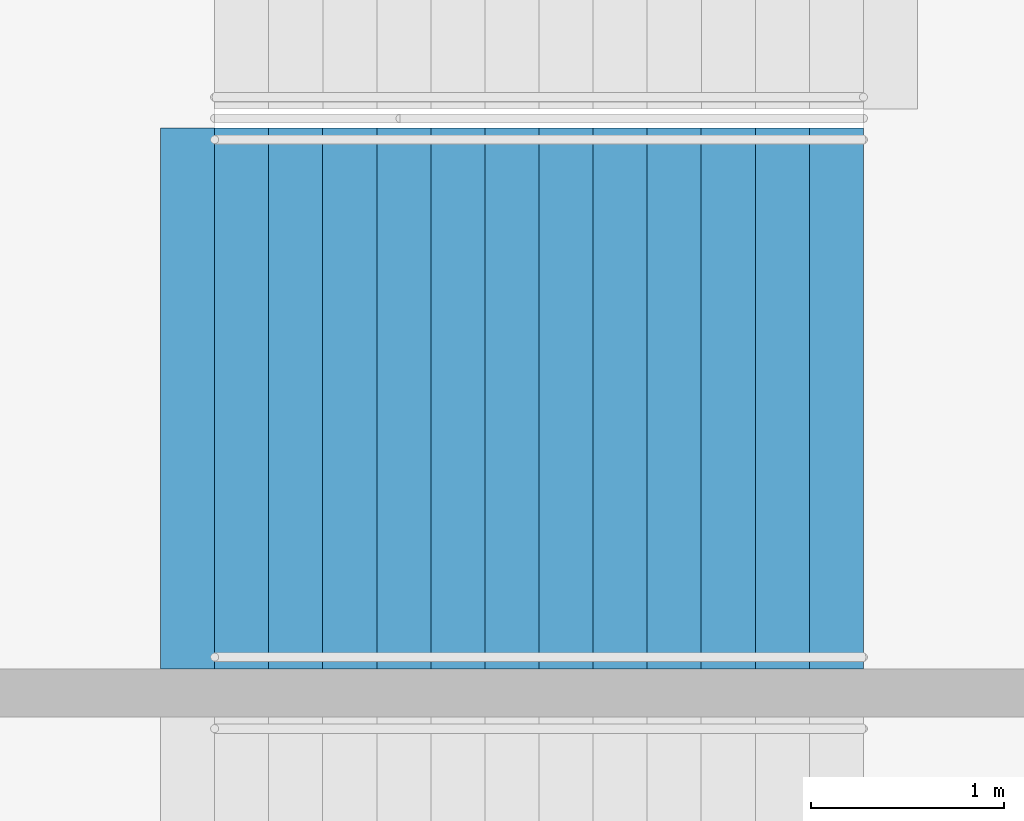
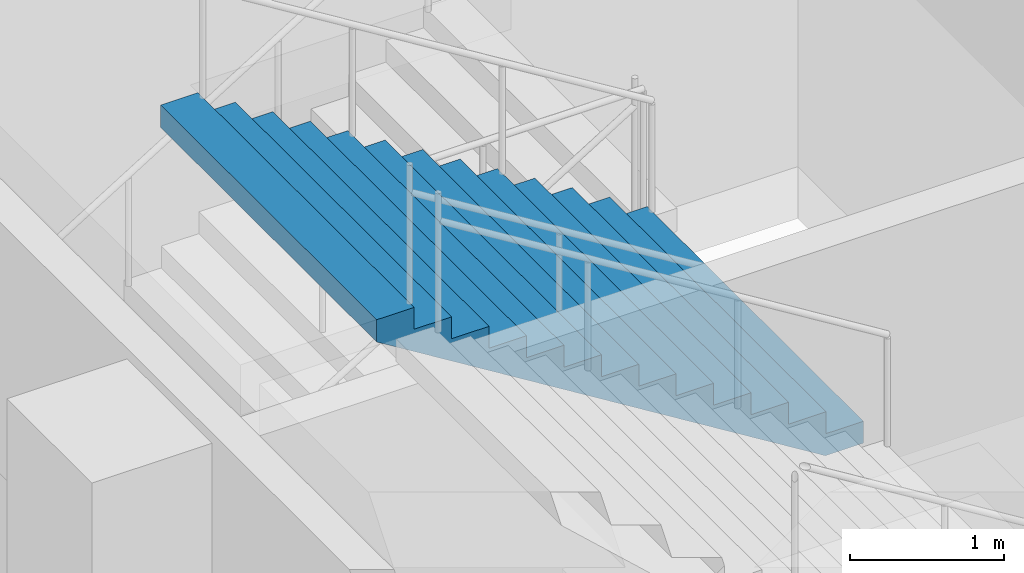
# One storey, part 143 of 175: 1 stair flight, 1 element without a shape of its own.
"""IFC4 building model written with IfcOpenShell, lengths in metres."""

from ifc_helpers import new_model, si_unit, direction, frame, origin, place, context, subcontext, project, spatial, faceted_brep, material, type_object, element, aggregate, save


model = new_model("IFC4")

# Units and contexts
model_context = context("Model", 3, precision=1e-05, world=origin(), true_north=direction((0.0, 1.0)))
body_context = subcontext(model_context, "Body", "Model", "MODEL_VIEW")
ifc_project = project(units=[si_unit("LENGTHUNIT", "METRE"), si_unit("AREAUNIT", "SQUARE_METRE"), si_unit("VOLUMEUNIT", "CUBIC_METRE"), si_unit("PLANEANGLEUNIT", "RADIAN"), si_unit("MASSUNIT", "GRAM", prefix="KILO")], contexts=[model_context])

# Site, building, storey
site_placement = place(None, origin())
site = spatial("IfcSite", under=ifc_project, at=site_placement, CompositionType="ELEMENT")
building_placement = place(site_placement, origin())
building = spatial("IfcBuilding", under=site, at=building_placement, Name="Ogive Plaza Stadium", CompositionType="ELEMENT")
storey_placement = place(building_placement, origin())
storey = spatial("IfcBuildingStorey", under=building, at=storey_placement, Name="L00", CompositionType="ELEMENT", Elevation=0.0)

# Stair, stair flight
ifc_material_1 = material(Name="Concrete C40/50", Category="concrete")
stair_type = type_object("IfcStairType", Name="Exit stair", PredefinedType="STRAIGHT_RUN_STAIR", material=ifc_material_1)
stair_placement = place(storey_placement, origin())
stair = element("IfcStair", 1, at=stair_placement, inside=storey, type_object=stair_type, Name="Exit stair ST02B L00 to L01", PredefinedType="STRAIGHT_RUN_STAIR")
ifc_material_2 = material(Name="Concrete C40/50", Category="concrete")
stair_flight_type = type_object("IfcStairFlightType", Name="Exit stair flight", PredefinedType="STRAIGHT", material=ifc_material_2)
stair_flight_placement = place(storey_placement, frame((79.7099609375, 39.02490234375, 2.25), z_axis=(0.0, 0.0, 1.0), x_axis=(-1.0, 0.0, 0.0)))
stair_flight = element("IfcStairFlight", 2, at=stair_flight_placement, type_object=stair_flight_type, Name="ST02B flight 2", NumberOfRisers=13, NumberOfTreads=12, PredefinedType="STRAIGHT", RiserHeight=0.173076923, TreadLength=0.28, context=body_context, shape_type="Brep", body=[
    faceted_brep([(0.28515625, -1.39990234375, 0.0), (3.639892578125, -1.39990234375, 2.07373046875), (3.639892578125, -1.39990234375, 2.25), (3.360107421875, -1.39990234375, 2.25), (3.360107421875, -1.39990234375, 2.076904296875), (3.080078125, -1.39990234375, 2.076904296875), (3.080078125, -1.39990234375, 1.90380859375), (2.800048828125, -1.39990234375, 1.90380859375), (2.800048828125, -1.39990234375, 1.730712890625), (2.52001953125, -1.39990234375, 1.730712890625), (2.52001953125, -1.39990234375, 1.5576171875), (2.239990234375, -1.39990234375, 1.5576171875), (2.239990234375, -1.39990234375, 1.384521484375), (1.9599609375, -1.39990234375, 1.384521484375), (1.9599609375, -1.39990234375, 1.21142578125), (1.679931640625, -1.39990234375, 1.21142578125), (1.679931640625, -1.39990234375, 1.03857421875), (1.39990234375, -1.39990234375, 1.03857421875), (1.39990234375, -1.39990234375, 0.865478515625), (1.1201171875, -1.39990234375, 0.865478515625), (1.1201171875, -1.39990234375, 0.6923828125), (0.840087890625, -1.39990234375, 0.6923828125), (0.840087890625, -1.39990234375, 0.519287109375), (0.56005859375, -1.39990234375, 0.519287109375), (0.56005859375, -1.39990234375, 0.34619140625), (0.280029296875, -1.39990234375, 0.34619140625), (0.280029296875, -1.39990234375, 0.173095703125), (0.0, -1.39990234375, 0.173095703125), (0.0, -1.39990234375, 0.0), (0.0, 1.39990234375, 0.0), (0.0, 1.39990234375, 0.173095703125), (0.280029296875, 1.39990234375, 0.173095703125), (0.280029296875, 1.39990234375, 0.34619140625), (0.56005859375, 1.39990234375, 0.34619140625), (0.56005859375, 1.39990234375, 0.519287109375), (0.840087890625, 1.39990234375, 0.519287109375), (0.840087890625, 1.39990234375, 0.6923828125), (1.1201171875, 1.39990234375, 0.6923828125), (1.1201171875, 1.39990234375, 0.865478515625), (1.39990234375, 1.39990234375, 0.865478515625), (1.39990234375, 1.39990234375, 1.03857421875), (1.679931640625, 1.39990234375, 1.03857421875), (1.679931640625, 1.39990234375, 1.21142578125), (1.9599609375, 1.39990234375, 1.21142578125), (1.9599609375, 1.39990234375, 1.384521484375), (2.239990234375, 1.39990234375, 1.384521484375), (2.239990234375, 1.39990234375, 1.5576171875), (2.52001953125, 1.39990234375, 1.5576171875), (2.52001953125, 1.39990234375, 1.730712890625), (2.800048828125, 1.39990234375, 1.730712890625), (2.800048828125, 1.39990234375, 1.90380859375), (3.080078125, 1.39990234375, 1.90380859375), (3.080078125, 1.39990234375, 2.076904296875), (3.360107421875, 1.39990234375, 2.076904296875), (3.360107421875, 1.39990234375, 2.25), (3.639892578125, 1.39990234375, 2.25), (3.639892578125, 1.39990234375, 2.07373046875), (0.28515625, 1.39990234375, 0.0), (0.28515625, -1.0888671875, 0.0), (3.639892578125, -1.0888671875, 2.07373046875), (0.28515625, -0.77783203125, 0.0), (3.639892578125, -0.77783203125, 2.07373046875), (0.28515625, -0.466796875, 0.0), (3.639892578125, -0.466796875, 2.07373046875), (0.28515625, -0.155517578125, 0.0), (3.639892578125, -0.155517578125, 2.07373046875), (0.28515625, 0.155517578125, 0.0), (3.639892578125, 0.155517578125, 2.07373046875), (0.28515625, 0.466796875, 0.0), (3.639892578125, 0.466796875, 2.07373046875), (0.28515625, 0.77783203125, 0.0), (3.639892578125, 0.77783203125, 2.07373046875), (0.28515625, 1.0888671875, 0.0), (3.639892578125, 1.0888671875, 2.07373046875), (3.639892578125, -1.0888671875, 2.25), (3.639892578125, -0.77783203125, 2.25), (3.639892578125, -0.466796875, 2.25), (3.639892578125, -0.155517578125, 2.25), (3.639892578125, 0.155517578125, 2.25), (3.639892578125, 0.466796875, 2.25), (3.639892578125, 0.77783203125, 2.25), (3.639892578125, 1.0888671875, 2.25), (3.360107421875, -1.0888671875, 2.25), (3.360107421875, -0.77783203125, 2.25), (3.360107421875, -0.466796875, 2.25), (3.360107421875, -0.155517578125, 2.25), (3.360107421875, 0.155517578125, 2.25), (3.360107421875, 0.466796875, 2.25), (3.360107421875, 0.77783203125, 2.25), (3.360107421875, 1.0888671875, 2.25), (3.360107421875, -1.0888671875, 2.076904296875), (3.360107421875, -0.77783203125, 2.076904296875), (3.360107421875, -0.466796875, 2.076904296875), (3.360107421875, -0.155517578125, 2.076904296875), (3.360107421875, 0.155517578125, 2.076904296875), (3.360107421875, 0.466796875, 2.076904296875), (3.360107421875, 0.77783203125, 2.076904296875), (3.360107421875, 1.0888671875, 2.076904296875), (3.080078125, -1.0888671875, 2.076904296875), (3.080078125, -0.77783203125, 2.076904296875), (3.080078125, -0.466796875, 2.076904296875), (3.080078125, -0.155517578125, 2.076904296875), (3.080078125, 0.155517578125, 2.076904296875), (3.080078125, 0.466796875, 2.076904296875), (3.080078125, 0.77783203125, 2.076904296875), (3.080078125, 1.0888671875, 2.076904296875), (3.080078125, -1.0888671875, 1.90380859375), (3.080078125, -0.77783203125, 1.90380859375), (3.080078125, -0.466796875, 1.90380859375), (3.080078125, -0.155517578125, 1.90380859375), (3.080078125, 0.155517578125, 1.90380859375), (3.080078125, 0.466796875, 1.90380859375), (3.080078125, 0.77783203125, 1.90380859375), (3.080078125, 1.0888671875, 1.90380859375), (2.800048828125, -1.0888671875, 1.90380859375), (2.800048828125, -0.77783203125, 1.90380859375), (2.800048828125, -0.466796875, 1.90380859375), (2.800048828125, -0.155517578125, 1.90380859375), (2.800048828125, 0.155517578125, 1.90380859375), (2.800048828125, 0.466796875, 1.90380859375), (2.800048828125, 0.77783203125, 1.90380859375), (2.800048828125, 1.0888671875, 1.90380859375), (2.800048828125, -1.0888671875, 1.730712890625), (2.800048828125, -0.77783203125, 1.730712890625), (2.800048828125, -0.466796875, 1.730712890625), (2.800048828125, -0.155517578125, 1.730712890625), (2.800048828125, 0.155517578125, 1.730712890625), (2.800048828125, 0.466796875, 1.730712890625), (2.800048828125, 0.77783203125, 1.730712890625), (2.800048828125, 1.0888671875, 1.730712890625), (2.52001953125, -1.0888671875, 1.730712890625), (2.52001953125, -0.77783203125, 1.730712890625), (2.52001953125, -0.466796875, 1.730712890625), (2.52001953125, -0.155517578125, 1.730712890625), (2.52001953125, 0.155517578125, 1.730712890625), (2.52001953125, 0.466796875, 1.730712890625), (2.52001953125, 0.77783203125, 1.730712890625), (2.52001953125, 1.0888671875, 1.730712890625), (2.52001953125, -1.0888671875, 1.5576171875), (2.52001953125, -0.77783203125, 1.5576171875), (2.52001953125, -0.466796875, 1.5576171875), (2.52001953125, -0.155517578125, 1.5576171875), (2.52001953125, 0.155517578125, 1.5576171875), (2.52001953125, 0.466796875, 1.5576171875), (2.52001953125, 0.77783203125, 1.5576171875), (2.52001953125, 1.0888671875, 1.5576171875), (2.239990234375, -1.0888671875, 1.5576171875), (2.239990234375, -0.77783203125, 1.5576171875), (2.239990234375, -0.466796875, 1.5576171875), (2.239990234375, -0.155517578125, 1.5576171875), (2.239990234375, 0.155517578125, 1.5576171875), (2.239990234375, 0.466796875, 1.5576171875), (2.239990234375, 0.77783203125, 1.5576171875), (2.239990234375, 1.0888671875, 1.5576171875), (2.239990234375, -1.0888671875, 1.384521484375), (2.239990234375, -0.77783203125, 1.384521484375), (2.239990234375, -0.466796875, 1.384521484375), (2.239990234375, -0.155517578125, 1.384521484375), (2.239990234375, 0.155517578125, 1.384521484375), (2.239990234375, 0.466796875, 1.384521484375), (2.239990234375, 0.77783203125, 1.384521484375), (2.239990234375, 1.0888671875, 1.384521484375), (1.9599609375, -1.0888671875, 1.384521484375), (1.9599609375, -0.77783203125, 1.384521484375), (1.9599609375, -0.466796875, 1.384521484375), (1.9599609375, -0.155517578125, 1.384521484375), (1.9599609375, 0.155517578125, 1.384521484375), (1.9599609375, 0.466796875, 1.384521484375), (1.9599609375, 0.77783203125, 1.384521484375), (1.9599609375, 1.0888671875, 1.384521484375), (1.9599609375, -1.0888671875, 1.21142578125), (1.9599609375, -0.77783203125, 1.21142578125), (1.9599609375, -0.466796875, 1.21142578125), (1.9599609375, -0.155517578125, 1.21142578125), (1.9599609375, 0.155517578125, 1.21142578125), (1.9599609375, 0.466796875, 1.21142578125), (1.9599609375, 0.77783203125, 1.21142578125), (1.9599609375, 1.0888671875, 1.21142578125), (1.679931640625, -1.0888671875, 1.21142578125), (1.679931640625, -0.77783203125, 1.21142578125), (1.679931640625, -0.466796875, 1.21142578125), (1.679931640625, -0.155517578125, 1.21142578125), (1.679931640625, 0.155517578125, 1.21142578125), (1.679931640625, 0.466796875, 1.21142578125), (1.679931640625, 0.77783203125, 1.21142578125), (1.679931640625, 1.0888671875, 1.21142578125), (1.679931640625, -1.0888671875, 1.03857421875), (1.679931640625, -0.77783203125, 1.03857421875), (1.679931640625, -0.466796875, 1.03857421875), (1.679931640625, -0.155517578125, 1.03857421875), (1.679931640625, 0.155517578125, 1.03857421875), (1.679931640625, 0.466796875, 1.03857421875), (1.679931640625, 0.77783203125, 1.03857421875), (1.679931640625, 1.0888671875, 1.03857421875), (1.39990234375, -1.0888671875, 1.03857421875), (1.39990234375, -0.77783203125, 1.03857421875), (1.39990234375, -0.466796875, 1.03857421875), (1.39990234375, -0.155517578125, 1.03857421875), (1.39990234375, 0.155517578125, 1.03857421875), (1.39990234375, 0.466796875, 1.03857421875), (1.39990234375, 0.77783203125, 1.03857421875), (1.39990234375, 1.0888671875, 1.03857421875), (1.39990234375, -1.0888671875, 0.865478515625), (1.39990234375, -0.77783203125, 0.865478515625), (1.39990234375, -0.466796875, 0.865478515625), (1.39990234375, -0.155517578125, 0.865478515625), (1.39990234375, 0.155517578125, 0.865478515625), (1.39990234375, 0.466796875, 0.865478515625), (1.39990234375, 0.77783203125, 0.865478515625), (1.39990234375, 1.0888671875, 0.865478515625), (1.1201171875, -1.0888671875, 0.865478515625), (1.1201171875, -0.77783203125, 0.865478515625), (1.1201171875, -0.466796875, 0.865478515625), (1.1201171875, -0.155517578125, 0.865478515625), (1.1201171875, 0.155517578125, 0.865478515625), (1.1201171875, 0.466796875, 0.865478515625), (1.1201171875, 0.77783203125, 0.865478515625), (1.1201171875, 1.0888671875, 0.865478515625), (1.1201171875, -1.0888671875, 0.6923828125), (1.1201171875, -0.77783203125, 0.6923828125), (1.1201171875, -0.466796875, 0.6923828125), (1.1201171875, -0.155517578125, 0.6923828125), (1.1201171875, 0.155517578125, 0.6923828125), (1.1201171875, 0.466796875, 0.6923828125), (1.1201171875, 0.77783203125, 0.6923828125), (1.1201171875, 1.0888671875, 0.6923828125), (0.840087890625, -1.0888671875, 0.6923828125), (0.840087890625, -0.77783203125, 0.6923828125), (0.840087890625, -0.466796875, 0.6923828125), (0.840087890625, -0.155517578125, 0.6923828125), (0.840087890625, 0.155517578125, 0.6923828125), (0.840087890625, 0.466796875, 0.6923828125), (0.840087890625, 0.77783203125, 0.6923828125), (0.840087890625, 1.0888671875, 0.6923828125), (0.840087890625, -1.0888671875, 0.519287109375), (0.840087890625, -0.77783203125, 0.519287109375), (0.840087890625, -0.466796875, 0.519287109375), (0.840087890625, -0.155517578125, 0.519287109375), (0.840087890625, 0.155517578125, 0.519287109375), (0.840087890625, 0.466796875, 0.519287109375), (0.840087890625, 0.77783203125, 0.519287109375), (0.840087890625, 1.0888671875, 0.519287109375), (0.56005859375, -1.0888671875, 0.519287109375), (0.56005859375, -0.77783203125, 0.519287109375), (0.56005859375, -0.466796875, 0.519287109375), (0.56005859375, -0.155517578125, 0.519287109375), (0.56005859375, 0.155517578125, 0.519287109375), (0.56005859375, 0.466796875, 0.519287109375), (0.56005859375, 0.77783203125, 0.519287109375), (0.56005859375, 1.0888671875, 0.519287109375), (0.56005859375, -1.0888671875, 0.34619140625), (0.56005859375, -0.77783203125, 0.34619140625), (0.56005859375, -0.466796875, 0.34619140625), (0.56005859375, -0.155517578125, 0.34619140625), (0.56005859375, 0.155517578125, 0.34619140625), (0.56005859375, 0.466796875, 0.34619140625), (0.56005859375, 0.77783203125, 0.34619140625), (0.56005859375, 1.0888671875, 0.34619140625), (0.280029296875, -1.0888671875, 0.34619140625), (0.280029296875, -0.77783203125, 0.34619140625), (0.280029296875, -0.466796875, 0.34619140625), (0.280029296875, -0.155517578125, 0.34619140625), (0.280029296875, 0.155517578125, 0.34619140625), (0.280029296875, 0.466796875, 0.34619140625), (0.280029296875, 0.77783203125, 0.34619140625), (0.280029296875, 1.0888671875, 0.34619140625), (0.280029296875, -1.0888671875, 0.173095703125), (0.280029296875, -0.77783203125, 0.173095703125), (0.280029296875, -0.466796875, 0.173095703125), (0.280029296875, -0.155517578125, 0.173095703125), (0.280029296875, 0.155517578125, 0.173095703125), (0.280029296875, 0.466796875, 0.173095703125), (0.280029296875, 0.77783203125, 0.173095703125), (0.280029296875, 1.0888671875, 0.173095703125), (0.0, -1.0888671875, 0.173095703125), (0.0, -0.77783203125, 0.173095703125), (0.0, -0.466796875, 0.173095703125), (0.0, -0.155517578125, 0.173095703125), (0.0, 0.155517578125, 0.173095703125), (0.0, 0.466796875, 0.173095703125), (0.0, 0.77783203125, 0.173095703125), (0.0, 1.0888671875, 0.173095703125), (0.0, -1.0888671875, 0.0), (0.0, -0.77783203125, 0.0), (0.0, -0.466796875, 0.0), (0.0, -0.155517578125, 0.0), (0.0, 0.155517578125, 0.0), (0.0, 0.466796875, 0.0), (0.0, 0.77783203125, 0.0), (0.0, 1.0888671875, 0.0)], [[[0, 1, 2, 3, 4, 5, 6, 7, 8, 9, 10, 11, 12, 13, 14, 15, 16, 17, 18, 19, 20, 21, 22, 23, 24, 25, 26, 27, 28]], [[29, 30, 31, 32, 33, 34, 35, 36, 37, 38, 39, 40, 41, 42, 43, 44, 45, 46, 47, 48, 49, 50, 51, 52, 53, 54, 55, 56, 57]], [[0, 58, 59, 1]], [[58, 60, 61, 59]], [[60, 62, 63, 61]], [[62, 64, 65, 63]], [[64, 66, 67, 65]], [[66, 68, 69, 67]], [[68, 70, 71, 69]], [[70, 72, 73, 71]], [[72, 57, 56, 73]], [[1, 59, 74, 2]], [[59, 61, 75, 74]], [[61, 63, 76, 75]], [[63, 65, 77, 76]], [[65, 67, 78, 77]], [[67, 69, 79, 78]], [[69, 71, 80, 79]], [[71, 73, 81, 80]], [[73, 56, 55, 81]], [[2, 74, 82, 3]], [[74, 75, 83, 82]], [[75, 76, 84, 83]], [[76, 77, 85, 84]], [[77, 78, 86, 85]], [[78, 79, 87, 86]], [[79, 80, 88, 87]], [[80, 81, 89, 88]], [[81, 55, 54, 89]], [[3, 82, 90, 4]], [[82, 83, 91, 90]], [[83, 84, 92, 91]], [[84, 85, 93, 92]], [[85, 86, 94, 93]], [[86, 87, 95, 94]], [[87, 88, 96, 95]], [[88, 89, 97, 96]], [[89, 54, 53, 97]], [[4, 90, 98, 5]], [[90, 91, 99, 98]], [[91, 92, 100, 99]], [[92, 93, 101, 100]], [[93, 94, 102, 101]], [[94, 95, 103, 102]], [[95, 96, 104, 103]], [[96, 97, 105, 104]], [[97, 53, 52, 105]], [[5, 98, 106, 6]], [[98, 99, 107, 106]], [[99, 100, 108, 107]], [[100, 101, 109, 108]], [[101, 102, 110, 109]], [[102, 103, 111, 110]], [[103, 104, 112, 111]], [[104, 105, 113, 112]], [[105, 52, 51, 113]], [[6, 106, 114, 7]], [[106, 107, 115, 114]], [[107, 108, 116, 115]], [[108, 109, 117, 116]], [[109, 110, 118, 117]], [[110, 111, 119, 118]], [[111, 112, 120, 119]], [[112, 113, 121, 120]], [[113, 51, 50, 121]], [[7, 114, 122, 8]], [[114, 115, 123, 122]], [[115, 116, 124, 123]], [[116, 117, 125, 124]], [[117, 118, 126, 125]], [[118, 119, 127, 126]], [[119, 120, 128, 127]], [[120, 121, 129, 128]], [[121, 50, 49, 129]], [[8, 122, 130, 9]], [[122, 123, 131, 130]], [[123, 124, 132, 131]], [[124, 125, 133, 132]], [[125, 126, 134, 133]], [[126, 127, 135, 134]], [[127, 128, 136, 135]], [[128, 129, 137, 136]], [[129, 49, 48, 137]], [[9, 130, 138, 10]], [[130, 131, 139, 138]], [[131, 132, 140, 139]], [[132, 133, 141, 140]], [[133, 134, 142, 141]], [[134, 135, 143, 142]], [[135, 136, 144, 143]], [[136, 137, 145, 144]], [[137, 48, 47, 145]], [[10, 138, 146, 11]], [[138, 139, 147, 146]], [[139, 140, 148, 147]], [[140, 141, 149, 148]], [[141, 142, 150, 149]], [[142, 143, 151, 150]], [[143, 144, 152, 151]], [[144, 145, 153, 152]], [[145, 47, 46, 153]], [[11, 146, 154, 12]], [[146, 147, 155, 154]], [[147, 148, 156, 155]], [[148, 149, 157, 156]], [[149, 150, 158, 157]], [[150, 151, 159, 158]], [[151, 152, 160, 159]], [[152, 153, 161, 160]], [[153, 46, 45, 161]], [[12, 154, 162, 13]], [[154, 155, 163, 162]], [[155, 156, 164, 163]], [[156, 157, 165, 164]], [[157, 158, 166, 165]], [[158, 159, 167, 166]], [[159, 160, 168, 167]], [[160, 161, 169, 168]], [[161, 45, 44, 169]], [[13, 162, 170, 14]], [[162, 163, 171, 170]], [[163, 164, 172, 171]], [[164, 165, 173, 172]], [[165, 166, 174, 173]], [[166, 167, 175, 174]], [[167, 168, 176, 175]], [[168, 169, 177, 176]], [[169, 44, 43, 177]], [[14, 170, 178, 15]], [[170, 171, 179, 178]], [[171, 172, 180, 179]], [[172, 173, 181, 180]], [[173, 174, 182, 181]], [[174, 175, 183, 182]], [[175, 176, 184, 183]], [[176, 177, 185, 184]], [[177, 43, 42, 185]], [[15, 178, 186, 16]], [[178, 179, 187, 186]], [[179, 180, 188, 187]], [[180, 181, 189, 188]], [[181, 182, 190, 189]], [[182, 183, 191, 190]], [[183, 184, 192, 191]], [[184, 185, 193, 192]], [[185, 42, 41, 193]], [[16, 186, 194, 17]], [[186, 187, 195, 194]], [[187, 188, 196, 195]], [[188, 189, 197, 196]], [[189, 190, 198, 197]], [[190, 191, 199, 198]], [[191, 192, 200, 199]], [[192, 193, 201, 200]], [[193, 41, 40, 201]], [[17, 194, 202, 18]], [[194, 195, 203, 202]], [[195, 196, 204, 203]], [[196, 197, 205, 204]], [[197, 198, 206, 205]], [[198, 199, 207, 206]], [[199, 200, 208, 207]], [[200, 201, 209, 208]], [[201, 40, 39, 209]], [[18, 202, 210, 19]], [[202, 203, 211, 210]], [[203, 204, 212, 211]], [[204, 205, 213, 212]], [[205, 206, 214, 213]], [[206, 207, 215, 214]], [[207, 208, 216, 215]], [[208, 209, 217, 216]], [[209, 39, 38, 217]], [[19, 210, 218, 20]], [[210, 211, 219, 218]], [[211, 212, 220, 219]], [[212, 213, 221, 220]], [[213, 214, 222, 221]], [[214, 215, 223, 222]], [[215, 216, 224, 223]], [[216, 217, 225, 224]], [[217, 38, 37, 225]], [[20, 218, 226, 21]], [[218, 219, 227, 226]], [[219, 220, 228, 227]], [[220, 221, 229, 228]], [[221, 222, 230, 229]], [[222, 223, 231, 230]], [[223, 224, 232, 231]], [[224, 225, 233, 232]], [[225, 37, 36, 233]], [[21, 226, 234, 22]], [[226, 227, 235, 234]], [[227, 228, 236, 235]], [[228, 229, 237, 236]], [[229, 230, 238, 237]], [[230, 231, 239, 238]], [[231, 232, 240, 239]], [[232, 233, 241, 240]], [[233, 36, 35, 241]], [[22, 234, 242, 23]], [[234, 235, 243, 242]], [[235, 236, 244, 243]], [[236, 237, 245, 244]], [[237, 238, 246, 245]], [[238, 239, 247, 246]], [[239, 240, 248, 247]], [[240, 241, 249, 248]], [[241, 35, 34, 249]], [[23, 242, 250, 24]], [[242, 243, 251, 250]], [[243, 244, 252, 251]], [[244, 245, 253, 252]], [[245, 246, 254, 253]], [[246, 247, 255, 254]], [[247, 248, 256, 255]], [[248, 249, 257, 256]], [[249, 34, 33, 257]], [[24, 250, 258, 25]], [[250, 251, 259, 258]], [[251, 252, 260, 259]], [[252, 253, 261, 260]], [[253, 254, 262, 261]], [[254, 255, 263, 262]], [[255, 256, 264, 263]], [[256, 257, 265, 264]], [[257, 33, 32, 265]], [[25, 258, 266, 26]], [[258, 259, 267, 266]], [[259, 260, 268, 267]], [[260, 261, 269, 268]], [[261, 262, 270, 269]], [[262, 263, 271, 270]], [[263, 264, 272, 271]], [[264, 265, 273, 272]], [[265, 32, 31, 273]], [[26, 266, 274, 27]], [[266, 267, 275, 274]], [[267, 268, 276, 275]], [[268, 269, 277, 276]], [[269, 270, 278, 277]], [[270, 271, 279, 278]], [[271, 272, 280, 279]], [[272, 273, 281, 280]], [[273, 31, 30, 281]], [[27, 274, 282, 28]], [[274, 275, 283, 282]], [[275, 276, 284, 283]], [[276, 277, 285, 284]], [[277, 278, 286, 285]], [[278, 279, 287, 286]], [[279, 280, 288, 287]], [[280, 281, 289, 288]], [[281, 30, 29, 289]], [[28, 282, 58, 0]], [[282, 283, 60, 58]], [[283, 284, 62, 60]], [[284, 285, 64, 62]], [[285, 286, 66, 64]], [[286, 287, 68, 66]], [[287, 288, 70, 68]], [[288, 289, 72, 70]], [[289, 29, 57, 72]]]),
])
aggregate(stair, [stair_flight])

save(model, "model.ifc")
